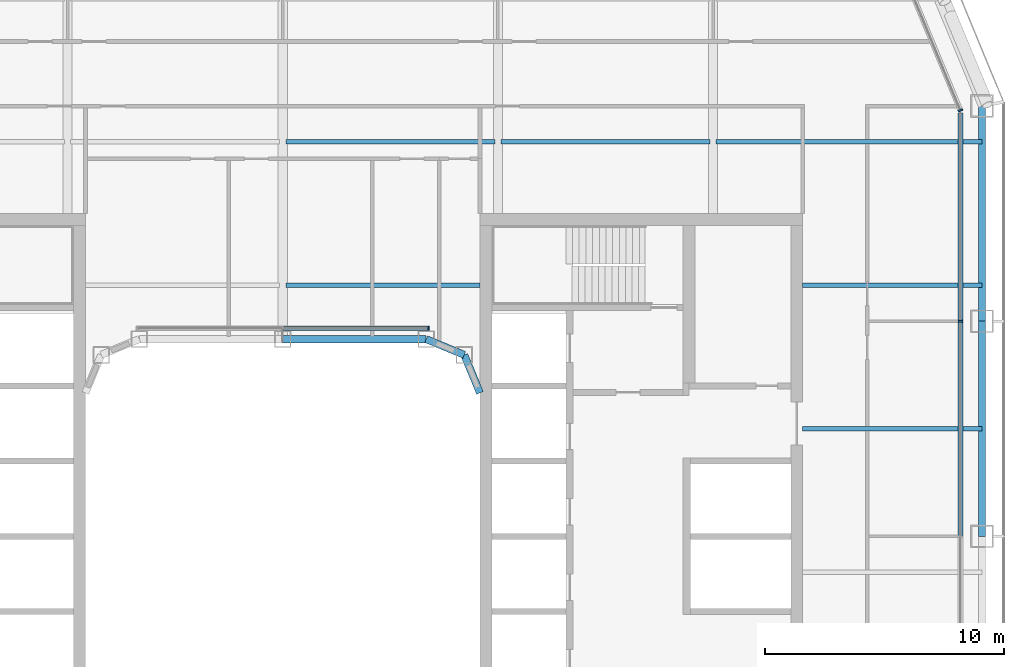
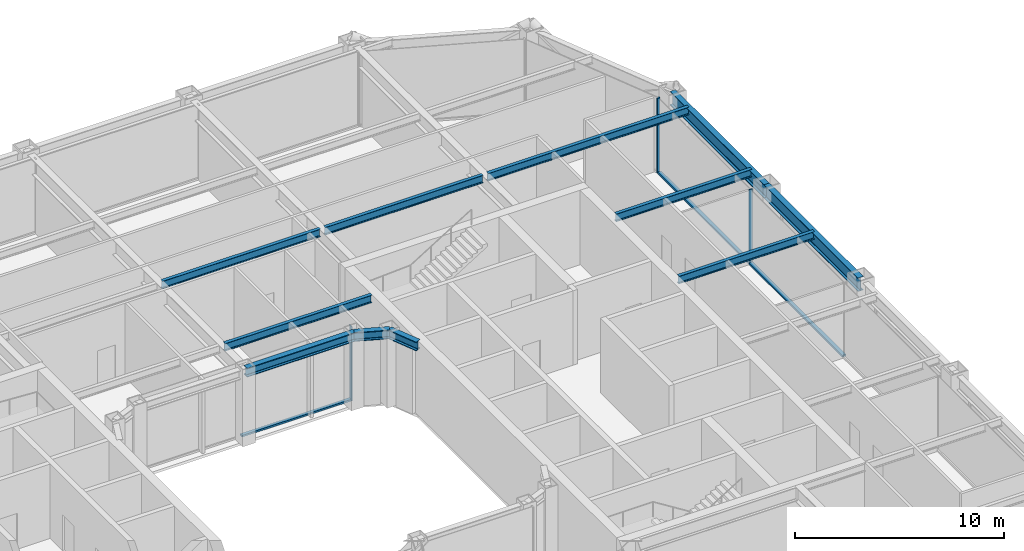
# One storey, part 8 of 21: 11 beams, 6 members, 3 elements without a shape of their own.
"""IFC4 building model written with IfcOpenShell, lengths in metres."""

from ifc_helpers import new_model, si_unit, direction, frame, origin, origin_2d, place, context, subcontext, project, spatial, rectangle, i_section, extrude, material, layer, layer_set, material_profile, profile_set, type_object, element, aggregate, save


model = new_model("IFC4")

# Units and contexts
model_context = context("Model", 3, precision=1e-05, world=origin(), true_north=direction((0.0, 1.0)))
body_context = subcontext(model_context, "Body", "Model", "MODEL_VIEW")
ifc_project = project(units=[si_unit("LENGTHUNIT", "METRE"), si_unit("AREAUNIT", "SQUARE_METRE"), si_unit("VOLUMEUNIT", "CUBIC_METRE"), si_unit("PLANEANGLEUNIT", "RADIAN"), si_unit("MASSUNIT", "GRAM", prefix="KILO")], contexts=[model_context])

# Site, building, storey
site_placement = place(None, origin())
site = spatial("IfcSite", under=ifc_project, at=site_placement, CompositionType="ELEMENT")
building_placement = place(site_placement, origin())
building = spatial("IfcBuilding", under=site, at=building_placement, Name="Siwar Civic Tower", CompositionType="ELEMENT")
storey_placement = place(building_placement, frame((0.0, 0.0, 122.699951171875)))
storey = spatial("IfcBuildingStorey", under=building, at=storey_placement, Name="L26", CompositionType="ELEMENT", Elevation=122.699951171875)

# Curtain wall, member
ifc_material_1 = material(Name="Aluminium and glass", Category="aluminium")
ifc_layer_1 = layer(ifc_material_1, 0.199951171875)
ifc_layer_set_1 = layer_set([ifc_layer_1], Name="Aluminium and glass")
curtain_wall_type_1 = type_object("IfcCurtainWallType", Name="ENV-CW-B", PredefinedType="NOTDEFINED", material=ifc_layer_set_1)
curtain_wall_1_placement = place(storey_placement, origin())
curtain_wall_1 = element("IfcCurtainWall", 1, at=curtain_wall_1_placement, inside=storey, type_object=curtain_wall_type_1, Name="Curtain wall B E", PredefinedType="NOTDEFINED")
ifc_material_2 = material(Name="Aluminium 6063-T6", Category="aluminium")
ifc_material_profile_1 = material_profile(ifc_material_2, rectangle(XDim=0.199951171875, YDim=0.06494140625, at=origin_2d()), Name="AL 200x65")
ifc_profile_set_1 = profile_set([ifc_material_profile_1], Name="Aluminium 6063-T6")
member_type_1 = type_object("IfcMemberType", Name="ENV-MULLION-B", PredefinedType="MULLION", material=ifc_profile_set_1)
member_1_placement = place(storey_placement, frame((28.35009765625, 9.0, 0.0), z_axis=(0.0, 0.0, 1.0), x_axis=(-1.0, 0.0, 0.0)))
member_1 = element("IfcMember", 2, at=member_1_placement, type_object=member_type_1, Name="Mullion B E 4", PredefinedType="MULLION", context=body_context, shape_type="SweptSolid", body=[
    extrude(rectangle(XDim=0.199951171875, YDim=0.06494140625, at=origin_2d()), origin(), (0.0, 0.0, 1.0), 4.35009765625),
])

ifc_material_3 = material(Name="Aluminium clad insulated panel", Category="aluminium")
ifc_layer_2 = layer(ifc_material_3, 0.199951171875)
ifc_layer_set_2 = layer_set([ifc_layer_2], Name="Aluminium clad insulated panel")
curtain_wall_type_2 = type_object("IfcCurtainWallType", Name="ENV-CW-BX", PredefinedType="NOTDEFINED", material=ifc_layer_set_2)
curtain_wall_2_placement = place(storey_placement, origin())
curtain_wall_2 = element("IfcCurtainWall", 3, at=curtain_wall_2_placement, inside=storey, type_object=curtain_wall_type_2, Name="Curtain wall B NE1", PredefinedType="NOTDEFINED")
member_2_placement = place(storey_placement, frame((28.35009765625, 17.821044921875, 0.0), z_axis=(0.0, 0.0, 1.0), x_axis=(-0.923879532511, -0.382683432365, 0.0)))
member_2 = element("IfcMember", 4, at=member_2_placement, type_object=member_type_1, Name="Mullion B NE1 1", PredefinedType="MULLION", context=body_context, shape_type="SweptSolid", body=[
    extrude(rectangle(XDim=0.199951171875, YDim=0.06494140625, at=origin_2d()), origin(), (0.0, 0.0, 1.0), 4.35009765625),
])
aggregate(curtain_wall_2, [member_2])

ifc_material_4 = material(Name="Aluminium and glass", Category="aluminium")
ifc_layer_3 = layer(ifc_material_4, 0.179931640625)
ifc_layer_set_3 = layer_set([ifc_layer_3], Name="Aluminium and glass")
curtain_wall_type_3 = type_object("IfcCurtainWallType", Name="ENV-CW-W", PredefinedType="NOTDEFINED", material=ifc_layer_set_3)
curtain_wall_3_placement = place(storey_placement, origin())
curtain_wall_3 = element("IfcCurtainWall", 5, at=curtain_wall_3_placement, inside=storey, type_object=curtain_wall_type_3, Name="Curtain wall W WN", PredefinedType="NOTDEFINED")
ifc_material_5 = material(Name="Aluminium 6063-T6", Category="aluminium")
ifc_material_profile_2 = material_profile(ifc_material_5, rectangle(XDim=0.179931640625, YDim=0.06005859375, at=origin_2d()), Name="AL 180x60")
ifc_profile_set_2 = profile_set([ifc_material_profile_2], Name="Aluminium 6063-T6")
member_type_2 = type_object("IfcMemberType", Name="ENV-MULLION-W", PredefinedType="MULLION", material=ifc_profile_set_2)
member_3_placement = place(storey_placement, frame((6.091552734375, 8.7099609375, 0.0), z_axis=(0.0, 0.0, 1.0), x_axis=(0.0, -1.0, 0.0)))
member_3 = element("IfcMember", 6, at=member_3_placement, type_object=member_type_2, Name="Mullion W WN 1", PredefinedType="MULLION", context=body_context, shape_type="SweptSolid", body=[
    extrude(rectangle(XDim=0.179931640625, YDim=0.06005859375, at=origin_2d()), origin(), (0.0, 0.0, 1.0), 4.35009765625),
])

# Member
ifc_material_6 = material(Name="Aluminium 6063-T6", Category="aluminium")
ifc_material_profile_3 = material_profile(ifc_material_6, rectangle(XDim=0.199951171875, YDim=0.110107421875, at=origin_2d()), Name="AL 200x110")
ifc_profile_set_3 = profile_set([ifc_material_profile_3], Name="Aluminium 6063-T6")
member_type_3 = type_object("IfcMemberType", Name="ENV-TRANSOM-B", PredefinedType="USERDEFINED", material=ifc_profile_set_3)
member_4_placement = place(storey_placement, frame((28.35009765625, 0.032470703125, 0.054931640625), z_axis=(0.0, 1.0, 0.0), x_axis=(-1.0, 0.0, 0.0)))
member_4 = element("IfcMember", 7, at=member_4_placement, type_object=member_type_3, Name="Transom B E 3", ObjectType="TRANSOM", PredefinedType="USERDEFINED", context=body_context, shape_type="SweptSolid", body=[
    extrude(rectangle(XDim=0.199951171875, YDim=0.110107421875, at=origin_2d()), origin(), (0.0, 0.0, 1.0), 8.93505859375),
])

member_5_placement = place(storey_placement, frame((28.35009765625, 9.032470703125, 0.054931640625), z_axis=(0.0, 1.0, 0.0), x_axis=(-1.0, 0.0, 0.0)))
member_5 = element("IfcMember", 8, at=member_5_placement, type_object=member_type_3, Name="Transom B E 4", ObjectType="TRANSOM", PredefinedType="USERDEFINED", context=body_context, shape_type="SweptSolid", body=[
    extrude(rectangle(XDim=0.199951171875, YDim=0.110107421875, at=origin_2d()), origin(), (0.0, 0.0, 1.0), 8.6748046875),
])

aggregate(curtain_wall_1, [member_1, member_4, member_5])

ifc_material_7 = material(Name="Aluminium 6063-T6", Category="aluminium")
ifc_material_profile_4 = material_profile(ifc_material_7, rectangle(XDim=0.179931640625, YDim=0.10009765625, at=origin_2d()), Name="AL 180x100")
ifc_profile_set_4 = profile_set([ifc_material_profile_4], Name="Aluminium 6063-T6")
member_type_4 = type_object("IfcMemberType", Name="ENV-TRANSOM-W", PredefinedType="USERDEFINED", material=ifc_profile_set_4)
member_6_placement = place(storey_placement, frame((6.0615234375, 8.7099609375, 0.050048828125), z_axis=(-1.0, 0.0, 0.0), x_axis=(0.0, -1.0, 0.0)))
member_6 = element("IfcMember", 9, at=member_6_placement, type_object=member_type_4, Name="Transom W WN 1", ObjectType="TRANSOM", PredefinedType="USERDEFINED", context=body_context, shape_type="SweptSolid", body=[
    extrude(rectangle(XDim=0.179931640625, YDim=0.10009765625, at=origin_2d()), origin(), (0.0, 0.0, 1.0), 6.031494140625),
])

aggregate(curtain_wall_3, [member_3, member_6])

# Beams
ifc_material_8 = material(Name="Steel S355", Category="steel")
ifc_material_profile_5 = material_profile(ifc_material_8, i_section(OverallWidth=0.18994140625, OverallDepth=0.449951171875, WebThickness=0.009521484375, FlangeThickness=0.0146484375, FilletRadius=0.02099609375, at=origin_2d()), Name="IPE450")
ifc_profile_set_5 = profile_set([ifc_material_profile_5], Name="Steel S355")
beam_type_1 = type_object("IfcBeamType", Name="STR-FB-IPE450", PredefinedType="JOIST", material=ifc_profile_set_5)
beam_1_placement = place(storey_placement, frame((21.75, 4.5, 4.125), z_axis=(1.0, 0.0, 0.0), x_axis=(0.0, 1.0, 0.0)))
element("IfcBeam", 10, at=beam_1_placement, inside=storey, type_object=beam_type_1, Name="L26/bm/F026", PredefinedType="JOIST", context=body_context, shape_type="SweptSolid", body=[
    extrude(i_section(OverallWidth=0.18994140625, OverallDepth=0.449951171875, WebThickness=0.009521484375, FlangeThickness=0.0146484375, FilletRadius=0.02099609375, at=origin_2d()), origin(), (0.0, 0.0, 1.0), 7.5),
])
beam_2_placement = place(storey_placement, frame((0.1298828125, 10.5, 4.125), z_axis=(1.0, 0.0, 0.0), x_axis=(0.0, 1.0, 0.0)))
element("IfcBeam", 11, at=beam_2_placement, inside=storey, type_object=beam_type_1, Name="L26/bm/F029", PredefinedType="JOIST", context=body_context, shape_type="SweptSolid", body=[
    extrude(i_section(OverallWidth=0.18994140625, OverallDepth=0.449951171875, WebThickness=0.009521484375, FlangeThickness=0.0146484375, FilletRadius=0.02099609375, at=origin_2d()), origin(), (0.0, 0.0, 1.0), 8.1201171875),
])
beam_3_placement = place(storey_placement, frame((21.75, 10.5, 4.125), z_axis=(1.0, 0.0, 0.0), x_axis=(0.0, 1.0, 0.0)))
element("IfcBeam", 12, at=beam_3_placement, inside=storey, type_object=beam_type_1, Name="L26/bm/F030", PredefinedType="JOIST", context=body_context, shape_type="SweptSolid", body=[
    extrude(i_section(OverallWidth=0.18994140625, OverallDepth=0.449951171875, WebThickness=0.009521484375, FlangeThickness=0.0146484375, FilletRadius=0.02099609375, at=origin_2d()), origin(), (0.0, 0.0, 1.0), 7.5),
])
for number, where, z_axis, x_axis, name in (
    (13, (0.1298828125, 16.5, 4.125), (1.0, 0.0, 0.0), (0.0, 1.0, 0.0), "L26/bm/F034"),
    (14, (9.1298828125, 16.5, 4.125), (1.0, 0.0, 0.0), (0.0, 1.0, 0.0), "L26/bm/F035"),
):
    element("IfcBeam", number, at=place(storey_placement, frame(where, z_axis=z_axis, x_axis=x_axis)), inside=storey, type_object=beam_type_1, Name=name, PredefinedType="JOIST", context=body_context, shape_type="SweptSolid", body=[
        extrude(i_section(OverallWidth=0.18994140625, OverallDepth=0.449951171875, WebThickness=0.009521484375, FlangeThickness=0.0146484375, FilletRadius=0.02099609375, at=origin_2d()), origin(), (0.0, 0.0, 1.0), 8.740234375),
    ])
beam_4_placement = place(storey_placement, frame((18.1298828125, 16.5, 4.125), z_axis=(1.0, 0.0, 0.0), x_axis=(0.0, 1.0, 0.0)))
element("IfcBeam", 15, at=beam_4_placement, inside=storey, type_object=beam_type_1, Name="L26/bm/F036", PredefinedType="JOIST", context=body_context, shape_type="SweptSolid", body=[
    extrude(i_section(OverallWidth=0.18994140625, OverallDepth=0.449951171875, WebThickness=0.009521484375, FlangeThickness=0.0146484375, FilletRadius=0.02099609375, at=origin_2d()), origin(), (0.0, 0.0, 1.0), 11.1201171875),
])
ifc_material_9 = material(Name="Steel S355", Category="steel")
ifc_material_profile_6 = material_profile(ifc_material_9, i_section(OverallWidth=0.305908203125, OverallDepth=0.52392578125, WebThickness=0.02099609375, FlangeThickness=0.0400390625, FilletRadius=0.027099609375, at=origin_2d()), Name="HEM500")
ifc_profile_set_6 = profile_set([ifc_material_profile_6], Name="Steel S355")
beam_type_2 = type_object("IfcBeamType", Name="STR-RB-HEM500", PredefinedType="BEAM", material=ifc_profile_set_6)
beam_5_placement = place(storey_placement, frame((0.0, 8.25, 4.088134765625), z_axis=(1.0, 0.0, 0.0), x_axis=(0.0, 1.0, 0.0)))
element("IfcBeam", 16, at=beam_5_placement, inside=storey, type_object=beam_type_2, Name="L26/bm/RN2", PredefinedType="BEAM", context=body_context, shape_type="SweptSolid", body=[
    extrude(i_section(OverallWidth=0.305908203125, OverallDepth=0.52392578125, WebThickness=0.02099609375, FlangeThickness=0.0400390625, FilletRadius=0.027099609375, at=origin_2d()), origin(), (0.0, 0.0, 1.0), 6.0),
])
for number, where, z_axis, x_axis, name in (
    (17, (6.0, 8.25, 4.088134765625), (0.923901072997, -0.382631424892, 0.0), (0.382631424892, 0.923901072997, 0.0), "L26/bm/RN3"),
    (18, (7.591064453125, 7.591064453125, 4.088134765625), (0.382631424892, -0.923901072997, 0.0), (0.923901072997, 0.382631424892, 0.0), "L26/bm/RNEE"),
):
    element("IfcBeam", number, at=place(storey_placement, frame(where, z_axis=z_axis, x_axis=x_axis)), inside=storey, type_object=beam_type_2, Name=name, PredefinedType="BEAM", context=body_context, shape_type="SweptSolid", body=[
        extrude(i_section(OverallWidth=0.305908203125, OverallDepth=0.52392578125, WebThickness=0.02099609375, FlangeThickness=0.0400390625, FilletRadius=0.027099609375, at=origin_2d()), origin(), (0.0, 0.0, 1.0), 1.72216796875),
    ])
ifc_material_10 = material(Name="Steel S355", Category="steel")
ifc_material_profile_7 = material_profile(ifc_material_10, i_section(OverallWidth=0.300048828125, OverallDepth=0.800048828125, WebThickness=0.017578125, FlangeThickness=0.032958984375, FilletRadius=0.030029296875, at=origin_2d()), Name="HEB800")
ifc_profile_set_7 = profile_set([ifc_material_profile_7], Name="Steel S355")
beam_type_3 = type_object("IfcBeamType", Name="STR-SB-HEB800", PredefinedType="BEAM", material=ifc_profile_set_7)
for number, where, z_axis, x_axis, name in (
    (19, (29.25, 0.0, 3.949951171875), (0.0, 1.0, 0.0), (-1.0, 0.0, 0.0), "L26/bm/SE-2"),
    (20, (29.25, 9.0, 3.949951171875), (0.0, 1.0, 0.0), (-1.0, 0.0, 0.0), "L26/bm/SE-3"),
):
    element("IfcBeam", number, at=place(storey_placement, frame(where, z_axis=z_axis, x_axis=x_axis)), inside=storey, type_object=beam_type_3, Name=name, PredefinedType="BEAM", context=body_context, shape_type="SweptSolid", body=[
        extrude(i_section(OverallWidth=0.300048828125, OverallDepth=0.800048828125, WebThickness=0.017578125, FlangeThickness=0.032958984375, FilletRadius=0.030029296875, at=origin_2d()), origin(), (0.0, 0.0, 1.0), 9.0),
    ])

save(model, "model.ifc")
